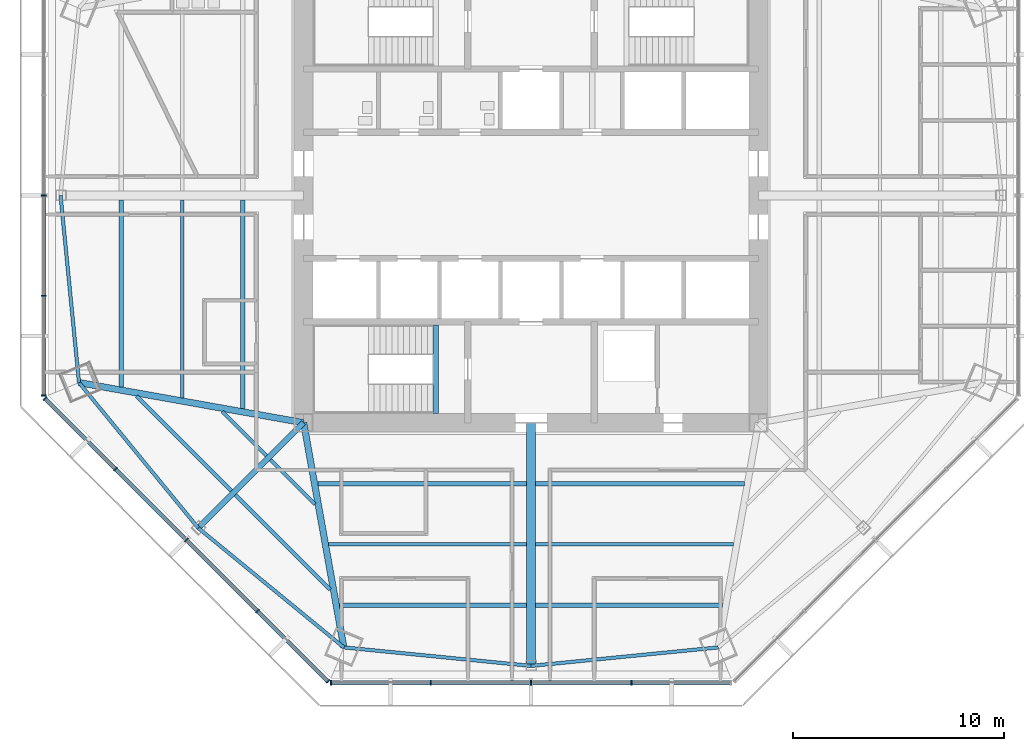
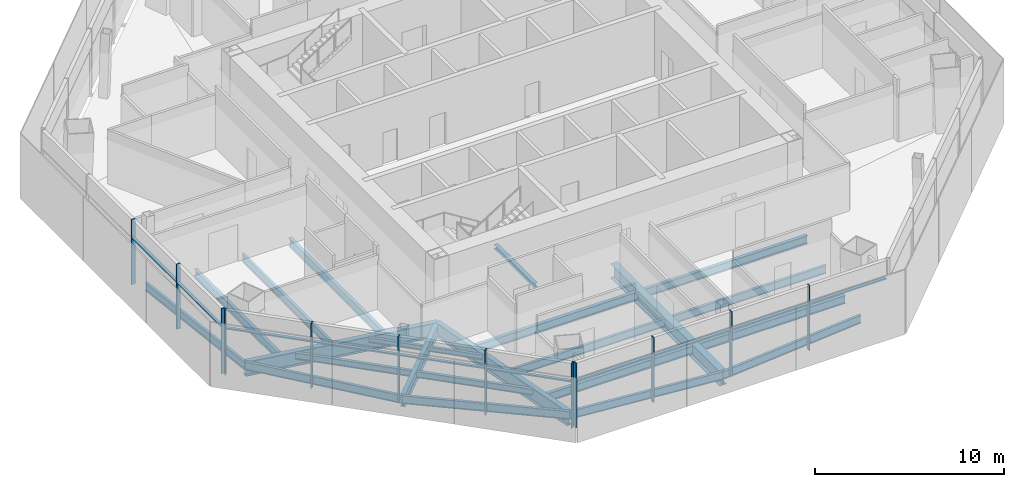
# One storey, part 2 of 15: 23 beams, 22 members, 3 elements without a shape of their own.
"""IFC4 building model written with IfcOpenShell, lengths in metres."""

from ifc_helpers import new_model, si_unit, direction, frame, origin, origin_2d, place, context, subcontext, project, spatial, rectangle, i_section, extrude, source, transform, mapped, material, material_profile, profile_set, type_object, type_shapes, element, aggregate, save


model = new_model("IFC4")

# Units and contexts
model_context = context("Model", 3, precision=1e-05, world=origin(), true_north=direction((0.0, 1.0)))
body_context = subcontext(model_context, "Body", "Model", "MODEL_VIEW")
ifc_project = project(units=[si_unit("LENGTHUNIT", "METRE"), si_unit("AREAUNIT", "SQUARE_METRE"), si_unit("VOLUMEUNIT", "CUBIC_METRE"), si_unit("PLANEANGLEUNIT", "RADIAN"), si_unit("MASSUNIT", "GRAM", prefix="KILO")], contexts=[model_context])

# Site, building, storey
site_placement = place(None, origin())
site = spatial("IfcSite", under=ifc_project, at=site_placement, CompositionType="ELEMENT")
building_placement = place(site_placement, origin())
building = spatial("IfcBuilding", under=site, at=building_placement, Name="Mashrafa Tower", CompositionType="ELEMENT")
storey_placement = place(building_placement, frame((0.0, 0.0, 172.199951171875)))
storey = spatial("IfcBuildingStorey", under=building, at=storey_placement, Name="L39", CompositionType="ELEMENT", Elevation=172.199951171875)

# Beams
ifc_material_1 = material(Name="Steel ASTM A992", Category="steel")
ifc_material_profile_1 = material_profile(ifc_material_1, i_section(OverallWidth=0.164794921875, OverallDepth=0.309814453125, WebThickness=0.005859375, FlangeThickness=0.009765625, FilletRadius=0.007568359375, at=origin_2d()), Name="W12X26")
ifc_profile_set_1 = profile_set([ifc_material_profile_1], Name="Steel ASTM A992")
beam_type_1 = type_object("IfcBeamType", Name="Beam W12X26", PredefinedType="BEAM", material=ifc_profile_set_1)
for number, where, z_axis, x_axis, name in (
    (1, (-12.561767578125, -12.373291015625, -0.31982421875), (-0.707106781187, 0.707106781187, 0.0), (-0.707106781187, -0.707106781187, 0.0), "Floor beam L39 011"),
    (2, (-10.264404296875, -14.670654296875, -0.31982421875), (-0.707106781187, 0.707106781187, 0.0), (-0.707106781187, -0.707106781187, 0.0), "Floor beam L39 014"),
):
    element("IfcBeam", number, at=place(storey_placement, frame(where, z_axis=z_axis, x_axis=x_axis)), inside=storey, type_object=beam_type_1, Name=name, PredefinedType="BEAM", context=body_context, shape_type="SweptSolid", body=[
        extrude(i_section(OverallWidth=0.164794921875, OverallDepth=0.309814453125, WebThickness=0.005859375, FlangeThickness=0.009765625, FilletRadius=0.007568359375, at=origin_2d()), origin(), (0.0, 0.0, 1.0), 2.982421875),
    ])
ifc_material_2 = material(Name="Steel ASTM A992", Category="steel")
ifc_material_profile_2 = material_profile(ifc_material_2, i_section(OverallWidth=0.177734375, OverallDepth=0.406494140625, WebThickness=0.0078125, FlangeThickness=0.012939453125, FilletRadius=0.01025390625, at=origin_2d()), Name="W16X40")
ifc_profile_set_2 = profile_set([ifc_material_profile_2], Name="Steel ASTM A992")
beam_type_2 = type_object("IfcBeamType", Name="Beam W16X40", PredefinedType="BEAM", material=ifc_profile_set_2)
for number, where, z_axis, x_axis, name in (
    (3, (-14.229248046875, -14.040771484375, -0.3681640625), (-0.707106781187, 0.707106781187, 0.0), (-0.707106781187, -0.707106781187, 0.0), "Floor beam L39 007"),
    (4, (-9.538818359375, -18.731201171875, -0.3681640625), (-0.707106781187, 0.707106781187, 0.0), (-0.707106781187, -0.707106781187, 0.0), "Floor beam L39 016"),
):
    element("IfcBeam", number, at=place(storey_placement, frame(where, z_axis=z_axis, x_axis=x_axis)), inside=storey, type_object=beam_type_2, Name=name, PredefinedType="BEAM", context=body_context, shape_type="SweptSolid", body=[
        extrude(i_section(OverallWidth=0.177734375, OverallDepth=0.406494140625, WebThickness=0.0078125, FlangeThickness=0.012939453125, FilletRadius=0.01025390625, at=origin_2d()), origin(), (0.0, 0.0, 1.0), 6.36669921875),
    ])
ifc_material_3 = material(Name="Steel ASTM A992", Category="steel")
ifc_material_profile_3 = material_profile(ifc_material_3, i_section(OverallWidth=0.1650390625, OverallDepth=0.52587890625, WebThickness=0.0087890625, FlangeThickness=0.011474609375, FilletRadius=0.0126953125, at=origin_2d()), Name="W21X44")
ifc_profile_set_3 = profile_set([ifc_material_profile_3], Name="Steel ASTM A992")
beam_type_3 = type_object("IfcBeamType", Name="Beam W21X44", PredefinedType="BEAM", material=ifc_profile_set_3)
for number, where, z_axis, x_axis, name in (
    (5, (-16.573974609375, -9.612060546875, -0.427734375), (0.0, 1.0, 0.0), (-1.0, 0.0, 0.0), "Floor beam L39 004"),
    (6, (-0.20947265625, -16.573974609375, -0.427734375), (-1.0, 0.0, 0.0), (0.0, -1.0, 0.0), "Floor beam L39 019"),
    (7, (9.612060546875, -16.573974609375, -0.427734375), (-1.0, 0.0, 0.0), (0.0, -1.0, 0.0), "Floor beam L39 026"),
):
    element("IfcBeam", number, at=place(storey_placement, frame(where, z_axis=z_axis, x_axis=x_axis)), inside=storey, type_object=beam_type_3, Name=name, PredefinedType="BEAM", context=body_context, shape_type="SweptSolid", body=[
        extrude(i_section(OverallWidth=0.1650390625, OverallDepth=0.52587890625, WebThickness=0.0087890625, FlangeThickness=0.011474609375, FilletRadius=0.0126953125, at=origin_2d()), origin(), (0.0, 0.0, 1.0), 9.402587890625),
    ])
beam_1_placement = place(storey_placement, frame((-22.34814453125, 0.0, -0.427734375), z_axis=(0.098270183346, -0.995159771627, 0.0), x_axis=(0.995159771627, 0.098270183346, 0.0)))
element("IfcBeam", 8, at=beam_1_placement, inside=storey, type_object=beam_type_3, Name="Spandrel beam L39 057", PredefinedType="BEAM", context=body_context, shape_type="SweptSolid", body=[
    extrude(i_section(OverallWidth=0.1650390625, OverallDepth=0.52587890625, WebThickness=0.0087890625, FlangeThickness=0.011474609375, FilletRadius=0.0126953125, at=origin_2d()), origin(), (0.0, 0.0, 1.0), 8.936279296875),
])
for number, where, z_axis, x_axis, name in (
    (9, (-21.469970703125, -8.89306640625, -0.427734375), (0.634196870214, -0.773171604374, 0.0), (0.773171604374, 0.634196870214, 0.0), "Spandrel beam L39 058"),
    (10, (-15.802490234375, -15.802490234375, -0.427734375), (0.773171604374, -0.634196870214, 0.0), (0.634196870214, 0.773171604374, 0.0), "Spandrel beam L39 060"),
):
    element("IfcBeam", number, at=place(storey_placement, frame(where, z_axis=z_axis, x_axis=x_axis)), inside=storey, type_object=beam_type_3, Name=name, PredefinedType="BEAM", context=body_context, shape_type="SweptSolid", body=[
        extrude(i_section(OverallWidth=0.1650390625, OverallDepth=0.52587890625, WebThickness=0.0087890625, FlangeThickness=0.011474609375, FilletRadius=0.0126953125, at=origin_2d()), origin(), (0.0, 0.0, 1.0), 8.9365234375),
    ])
for number, where, z_axis, x_axis, name in (
    (11, (-8.89306640625, -21.469970703125, -0.427734375), (0.995159771627, -0.098270183346, 0.0), (0.098270183346, 0.995159771627, 0.0), "Spandrel beam L39 062"),
    (12, (0.0, -22.34814453125, -0.427734375), (0.995159771627, 0.098270183346, 0.0), (-0.098270183346, 0.995159771627, 0.0), "Spandrel beam L39 064"),
):
    element("IfcBeam", number, at=place(storey_placement, frame(where, z_axis=z_axis, x_axis=x_axis)), inside=storey, type_object=beam_type_3, Name=name, PredefinedType="BEAM", context=body_context, shape_type="SweptSolid", body=[
        extrude(i_section(OverallWidth=0.1650390625, OverallDepth=0.52587890625, WebThickness=0.0087890625, FlangeThickness=0.011474609375, FilletRadius=0.0126953125, at=origin_2d()), origin(), (0.0, 0.0, 1.0), 8.936279296875),
    ])
ifc_material_4 = material(Name="Steel ASTM A992", Category="steel")
ifc_material_profile_4 = material_profile(ifc_material_4, i_section(OverallWidth=0.209228515625, OverallDepth=0.533447265625, WebThickness=0.01025390625, FlangeThickness=0.015625, FilletRadius=0.012939453125, at=origin_2d()), Name="W21X62")
ifc_profile_set_4 = profile_set([ifc_material_profile_4], Name="Steel ASTM A992")
beam_type_4 = type_object("IfcBeamType", Name="Beam W21X62", PredefinedType="BEAM", material=ifc_profile_set_4)
beam_2_placement = place(storey_placement, frame((-19.461181640625, -9.095947265625, -0.431640625), z_axis=(0.0, 1.0, 0.0), x_axis=(-1.0, 0.0, 0.0)))
element("IfcBeam", 13, at=beam_2_placement, inside=storey, type_object=beam_type_4, Name="Floor beam L39 001", PredefinedType="BEAM", context=body_context, shape_type="SweptSolid", body=[
    extrude(i_section(OverallWidth=0.209228515625, OverallDepth=0.533447265625, WebThickness=0.01025390625, FlangeThickness=0.015625, FilletRadius=0.012939453125, at=origin_2d()), origin(), (0.0, 0.0, 1.0), 8.886474609375),
])
beam_3_placement = place(storey_placement, frame((-13.68701171875, -10.1279296875, -0.431640625), z_axis=(0.0, 1.0, 0.0), x_axis=(-1.0, 0.0, 0.0)))
element("IfcBeam", 14, at=beam_3_placement, inside=storey, type_object=beam_type_4, Name="Floor beam L39 009", PredefinedType="BEAM", context=body_context, shape_type="SweptSolid", body=[
    extrude(i_section(OverallWidth=0.209228515625, OverallDepth=0.533447265625, WebThickness=0.01025390625, FlangeThickness=0.015625, FilletRadius=0.012939453125, at=origin_2d()), origin(), (0.0, 0.0, 1.0), 9.91845703125),
])
beam_4_placement = place(storey_placement, frame((-0.20947265625, -19.461181640625, -0.431640625), z_axis=(-1.0, 0.0, 0.0), x_axis=(0.0, -1.0, 0.0)))
element("IfcBeam", 15, at=beam_4_placement, inside=storey, type_object=beam_type_4, Name="Floor beam L39 018", PredefinedType="BEAM", context=body_context, shape_type="SweptSolid", body=[
    extrude(i_section(OverallWidth=0.209228515625, OverallDepth=0.533447265625, WebThickness=0.01025390625, FlangeThickness=0.015625, FilletRadius=0.012939453125, at=origin_2d()), origin(), (0.0, 0.0, 1.0), 8.886474609375),
])
beam_5_placement = place(storey_placement, frame((-0.20947265625, -13.68701171875, -0.431640625), z_axis=(-1.0, 0.0, 0.0), x_axis=(0.0, -1.0, 0.0)))
element("IfcBeam", 16, at=beam_5_placement, inside=storey, type_object=beam_type_4, Name="Floor beam L39 020", PredefinedType="BEAM", context=body_context, shape_type="SweptSolid", body=[
    extrude(i_section(OverallWidth=0.209228515625, OverallDepth=0.533447265625, WebThickness=0.01025390625, FlangeThickness=0.015625, FilletRadius=0.012939453125, at=origin_2d()), origin(), (0.0, 0.0, 1.0), 9.91845703125),
])
beam_6_placement = place(storey_placement, frame((9.095947265625, -19.461181640625, -0.431640625), z_axis=(-1.0, 0.0, 0.0), x_axis=(0.0, -1.0, 0.0)))
element("IfcBeam", 17, at=beam_6_placement, inside=storey, type_object=beam_type_4, Name="Floor beam L39 024", PredefinedType="BEAM", context=body_context, shape_type="SweptSolid", body=[
    extrude(i_section(OverallWidth=0.209228515625, OverallDepth=0.533447265625, WebThickness=0.01025390625, FlangeThickness=0.015625, FilletRadius=0.012939453125, at=origin_2d()), origin(), (0.0, 0.0, 1.0), 8.886474609375),
])
beam_7_placement = place(storey_placement, frame((10.1279296875, -13.68701171875, -0.431640625), z_axis=(-1.0, 0.0, 0.0), x_axis=(0.0, -1.0, 0.0)))
element("IfcBeam", 18, at=beam_7_placement, inside=storey, type_object=beam_type_4, Name="Floor beam L39 028", PredefinedType="BEAM", context=body_context, shape_type="SweptSolid", body=[
    extrude(i_section(OverallWidth=0.209228515625, OverallDepth=0.533447265625, WebThickness=0.01025390625, FlangeThickness=0.015625, FilletRadius=0.012939453125, at=origin_2d()), origin(), (0.0, 0.0, 1.0), 9.91845703125),
])
ifc_material_5 = material(Name="Steel ASTM A992", Category="steel")
ifc_material_profile_5 = material_profile(ifc_material_5, i_section(OverallWidth=0.2666015625, OverallDepth=0.75439453125, WebThickness=0.01318359375, FlangeThickness=0.01708984375, FilletRadius=0.0166015625, at=origin_2d()), Name="W30X99")
ifc_profile_set_5 = profile_set([ifc_material_profile_5], Name="Steel ASTM A992")
beam_type_5 = type_object("IfcBeamType", Name="Beam W30X99", PredefinedType="BEAM", material=ifc_profile_set_5)
beam_8_placement = place(storey_placement, frame((-10.800048828125, -10.800048828125, -0.542236328125), z_axis=(-0.707106781187, -0.707106781187, 0.0), x_axis=(0.707106781187, -0.707106781187, 0.0)))
element("IfcBeam", 19, at=beam_8_placement, inside=storey, type_object=beam_type_5, Name="Radial girder L39 042", PredefinedType="BEAM", context=body_context, shape_type="SweptSolid", body=[
    extrude(i_section(OverallWidth=0.2666015625, OverallDepth=0.75439453125, WebThickness=0.01318359375, FlangeThickness=0.01708984375, FilletRadius=0.0166015625, at=origin_2d()), origin(), (0.0, 0.0, 1.0), 7.074462890625),
])
ifc_material_6 = material(Name="Steel ASTM A992", Category="steel")
ifc_material_profile_6 = material_profile(ifc_material_6, i_section(OverallWidth=0.307373046875, OverallDepth=0.927001953125, WebThickness=0.01953125, FlangeThickness=0.031982421875, FilletRadius=0.01904296875, at=origin_2d()), Name="W36X194")
ifc_profile_set_6 = profile_set([ifc_material_profile_6], Name="Steel ASTM A992")
beam_type_6 = type_object("IfcBeamType", Name="Beam W36X194", PredefinedType="BEAM", material=ifc_profile_set_6)
for number, where, z_axis, x_axis, name in (
    (20, (-10.800048828125, -10.800048828125, -0.62841796875), (-0.984401392993, 0.175937197526, 0.0), (-0.175937197526, -0.984401392993, 0.0), "Radial girder L39 041"),
    (21, (-10.800048828125, -10.800048828125, -0.62841796875), (0.175937197526, -0.984401392993, 0.0), (0.984401392993, 0.175937197526, 0.0), "Radial girder L39 043"),
):
    element("IfcBeam", number, at=place(storey_placement, frame(where, z_axis=z_axis, x_axis=x_axis)), inside=storey, type_object=beam_type_6, Name=name, PredefinedType="BEAM", context=body_context, shape_type="SweptSolid", body=[
        extrude(i_section(OverallWidth=0.307373046875, OverallDepth=0.927001953125, WebThickness=0.01953125, FlangeThickness=0.031982421875, FilletRadius=0.01904296875, at=origin_2d()), origin(), (0.0, 0.0, 1.0), 10.839111328125),
    ])
ifc_material_7 = material(Name="Steel ASTM A992", Category="steel")
ifc_material_profile_7 = material_profile(ifc_material_7, i_section(OverallWidth=0.419189453125, OverallDepth=0.927001953125, WebThickness=0.019287109375, FlangeThickness=0.031982421875, FilletRadius=0.020263671875, at=origin_2d()), Name="W36X231")
ifc_profile_set_7 = profile_set([ifc_material_profile_7], Name="Steel ASTM A992")
beam_type_7 = type_object("IfcBeamType", Name="Beam W36X231", PredefinedType="BEAM", material=ifc_profile_set_7)
beam_9_placement = place(storey_placement, frame((0.0, -10.800048828125, -0.62841796875), z_axis=(0.0, -1.0, 0.0), x_axis=(1.0, 0.0, 0.0)))
element("IfcBeam", 22, at=beam_9_placement, inside=storey, type_object=beam_type_7, Name="Radial girder L39 048", PredefinedType="BEAM", context=body_context, shape_type="SweptSolid", body=[
    extrude(i_section(OverallWidth=0.419189453125, OverallDepth=0.927001953125, WebThickness=0.019287109375, FlangeThickness=0.031982421875, FilletRadius=0.020263671875, at=origin_2d()), origin(), (0.0, 0.0, 1.0), 11.548095703125),
])
ifc_material_8 = material(Name="Steel ASTM A992", Category="steel")
ifc_material_profile_8 = material_profile(ifc_material_8, i_section(OverallWidth=0.25390625, OverallDepth=0.25390625, WebThickness=0.008544921875, FlangeThickness=0.01416015625, FilletRadius=0.010009765625, at=origin_2d()), Name="W10X49")
ifc_profile_set_8 = profile_set([ifc_material_profile_8], Name="Steel ASTM A992")
beam_type_8 = type_object("IfcBeamType", Name="Hoistway beam W10X49", PredefinedType="BEAM", material=ifc_profile_set_8)
beam_10_placement = place(storey_placement, frame((-4.530029296875, -10.35009765625, -0.326904296875), z_axis=(0.0, 1.0, 0.0), x_axis=(-1.0, 0.0, 0.0)))
element("IfcBeam", 23, at=beam_10_placement, inside=storey, type_object=beam_type_8, Name="Stair S3 landing beam L39", PredefinedType="BEAM", context=body_context, shape_type="SweptSolid", body=[
    extrude(i_section(OverallWidth=0.25390625, OverallDepth=0.25390625, WebThickness=0.008544921875, FlangeThickness=0.01416015625, FilletRadius=0.010009765625, at=origin_2d()), origin(), (0.0, 0.0, 1.0), 4.2001953125),
])

# Curtain wall, members
ifc_material_9 = material(Name="Unitised aluminium curtain wall", Category="aluminium")
curtain_wall_type = type_object("IfcCurtainWallType", Name="Office curtain wall, zone 2 CW-B 225 deep", PredefinedType="NOTDEFINED", material=ifc_material_9)
curtain_wall_1_placement = place(storey_placement, origin())
curtain_wall_1 = element("IfcCurtainWall", 24, at=curtain_wall_1_placement, inside=storey, type_object=curtain_wall_type, Name="Office curtain wall, zone 2 L39 west", PredefinedType="NOTDEFINED")
ifc_material_10 = material(Name="Extruded aluminium mullion", Category="aluminium")
ifc_material_profile_9 = material_profile(ifc_material_10, rectangle(XDim=0.22509765625, YDim=0.06494140625, at=origin_2d()), Name="Mullion 65x225")
ifc_profile_set_9 = profile_set([ifc_material_profile_9], Name="Extruded aluminium mullion")
member_type_1 = type_object("IfcMemberType", Name="Mullion CW-B 65 x 225", PredefinedType="MULLION", material=ifc_profile_set_9)
shared_shape_1 = source(origin(), body_context, "Body", "SweptSolid", [
    extrude(rectangle(XDim=0.22509765625, YDim=0.06494140625, at=origin_2d()), origin(), (0.0, 0.0, 1.0), 4.199951171875),
])
type_shapes(member_type_1, [shared_shape_1])
member_1_placement = place(storey_placement, frame((-23.143310546875, 0.0, 0.0), z_axis=(0.0, 0.0, 1.0), x_axis=(1.0, 0.0, 0.0)))
member_1 = element("IfcMember", 25, at=member_1_placement, type_object=member_type_1, Name="CW-B mullion 3", PredefinedType="MULLION", context=body_context, shape_type="MappedRepresentation", body=[
    mapped(shared_shape_1, transform((0.0, 0.0, 0.0))),
])
member_2_placement = place(storey_placement, frame((-23.143310546875, -4.764892578125, 0.0), z_axis=(0.0, 0.0, 1.0), x_axis=(1.0, 0.0, 0.0)))
member_2 = element("IfcMember", 26, at=member_2_placement, type_object=member_type_1, Name="CW-B mullion 4", PredefinedType="MULLION", context=body_context, shape_type="MappedRepresentation", body=[
    mapped(shared_shape_1, transform((0.0, 0.0, 0.0))),
])
member_3_placement = place(storey_placement, frame((-23.143310546875, -9.497314453125, 0.0), z_axis=(0.0, 0.0, 1.0), x_axis=(1.0, 0.0, 0.0)))
member_3 = element("IfcMember", 27, at=member_3_placement, type_object=member_type_1, Name="CW-B mullion 5", PredefinedType="MULLION", context=body_context, shape_type="MappedRepresentation", body=[
    mapped(shared_shape_1, transform((0.0, 0.0, 0.0))),
])

curtain_wall_2_placement = place(storey_placement, origin())
curtain_wall_2 = element("IfcCurtainWall", 28, at=curtain_wall_2_placement, inside=storey, type_object=curtain_wall_type, Name="Office curtain wall, zone 2 L39 south-west", PredefinedType="NOTDEFINED")
member_4_placement = place(storey_placement, frame((-23.080322265625, -9.6494140625, 0.0), z_axis=(0.0, 0.0, 1.0), x_axis=(0.707106781187, 0.707106781187, 0.0)))
member_4 = element("IfcMember", 29, at=member_4_placement, type_object=member_type_1, Name="CW-B mullion 1", PredefinedType="MULLION", context=body_context, shape_type="MappedRepresentation", body=[
    mapped(shared_shape_1, transform((0.0, 0.0, 0.0))),
])
member_5_placement = place(storey_placement, frame((-19.734130859375, -12.99560546875, 0.0), z_axis=(0.0, 0.0, 1.0), x_axis=(0.707106781187, 0.707106781187, 0.0)))
member_5 = element("IfcMember", 30, at=member_5_placement, type_object=member_type_1, Name="CW-B mullion 2", PredefinedType="MULLION", context=body_context, shape_type="MappedRepresentation", body=[
    mapped(shared_shape_1, transform((0.0, 0.0, 0.0))),
])
member_6_placement = place(storey_placement, frame((-16.364990234375, -16.364990234375, 0.0), z_axis=(0.0, 0.0, 1.0), x_axis=(0.707106781187, 0.707106781187, 0.0)))
member_6 = element("IfcMember", 31, at=member_6_placement, type_object=member_type_1, Name="CW-B mullion 3", PredefinedType="MULLION", context=body_context, shape_type="MappedRepresentation", body=[
    mapped(shared_shape_1, transform((0.0, 0.0, 0.0))),
])
member_7_placement = place(storey_placement, frame((-12.99560546875, -19.734130859375, 0.0), z_axis=(0.0, 0.0, 1.0), x_axis=(0.707106781187, 0.707106781187, 0.0)))
member_7 = element("IfcMember", 32, at=member_7_placement, type_object=member_type_1, Name="CW-B mullion 4", PredefinedType="MULLION", context=body_context, shape_type="MappedRepresentation", body=[
    mapped(shared_shape_1, transform((0.0, 0.0, 0.0))),
])
member_8_placement = place(storey_placement, frame((-9.6494140625, -23.080322265625, 0.0), z_axis=(0.0, 0.0, 1.0), x_axis=(0.707106781187, 0.707106781187, 0.0)))
member_8 = element("IfcMember", 33, at=member_8_placement, type_object=member_type_1, Name="CW-B mullion 5", PredefinedType="MULLION", context=body_context, shape_type="MappedRepresentation", body=[
    mapped(shared_shape_1, transform((0.0, 0.0, 0.0))),
])

curtain_wall_3_placement = place(storey_placement, origin())
curtain_wall_3 = element("IfcCurtainWall", 34, at=curtain_wall_3_placement, inside=storey, type_object=curtain_wall_type, Name="Office curtain wall, zone 2 L39 south", PredefinedType="NOTDEFINED")
member_9_placement = place(storey_placement, frame((-9.497314453125, -23.143310546875, 0.0), z_axis=(0.0, 0.0, 1.0), x_axis=(0.0, 1.0, 0.0)))
member_9 = element("IfcMember", 35, at=member_9_placement, type_object=member_type_1, Name="CW-B mullion 1", PredefinedType="MULLION", context=body_context, shape_type="MappedRepresentation", body=[
    mapped(shared_shape_1, transform((0.0, 0.0, 0.0))),
])
member_10_placement = place(storey_placement, frame((-4.764892578125, -23.143310546875, 0.0), z_axis=(0.0, 0.0, 1.0), x_axis=(0.0, 1.0, 0.0)))
member_10 = element("IfcMember", 36, at=member_10_placement, type_object=member_type_1, Name="CW-B mullion 2", PredefinedType="MULLION", context=body_context, shape_type="MappedRepresentation", body=[
    mapped(shared_shape_1, transform((0.0, 0.0, 0.0))),
])
member_11_placement = place(storey_placement, frame((0.0, -23.143310546875, 0.0), z_axis=(0.0, 0.0, 1.0), x_axis=(0.0, 1.0, 0.0)))
member_11 = element("IfcMember", 37, at=member_11_placement, type_object=member_type_1, Name="CW-B mullion 3", PredefinedType="MULLION", context=body_context, shape_type="MappedRepresentation", body=[
    mapped(shared_shape_1, transform((0.0, 0.0, 0.0))),
])
member_12_placement = place(storey_placement, frame((4.764892578125, -23.143310546875, 0.0), z_axis=(0.0, 0.0, 1.0), x_axis=(0.0, 1.0, 0.0)))
member_12 = element("IfcMember", 38, at=member_12_placement, type_object=member_type_1, Name="CW-B mullion 4", PredefinedType="MULLION", context=body_context, shape_type="MappedRepresentation", body=[
    mapped(shared_shape_1, transform((0.0, 0.0, 0.0))),
])

# Member
ifc_material_11 = material(Name="Extruded aluminium transom", Category="aluminium")
ifc_material_profile_10 = material_profile(ifc_material_11, rectangle(XDim=0.179931640625, YDim=0.080078125, at=origin_2d()), Name="Transom 80x180")
ifc_profile_set_10 = profile_set([ifc_material_profile_10], Name="Extruded aluminium transom")
member_type_2 = type_object("IfcMemberType", Name="Transom CW-B 80 x 180", PredefinedType="MULLION", material=ifc_profile_set_10)
shared_shape_2 = source(origin(), body_context, "Body", "SweptSolid", [
    extrude(rectangle(XDim=0.179931640625, YDim=0.080078125, at=origin_2d()), origin(), (0.0, 0.0, 1.0), 4.667236328125),
])
member_13_placement = place(storey_placement, frame((-23.143310546875, -4.79736328125, 3.0), z_axis=(0.0, -1.0, 0.0), x_axis=(1.0, 0.0, 0.0)))
member_13 = element("IfcMember", 39, at=member_13_placement, type_object=member_type_2, Name="CW-B transom 4", PredefinedType="MULLION", context=body_context, shape_type="MappedRepresentation", body=[
    mapped(shared_shape_2, transform((0.0, 0.0, 0.0))),
])

member_14_placement = place(storey_placement, frame((-23.057373046875, -9.67236328125, 3.0), z_axis=(0.707106781187, -0.707106781187, 0.0), x_axis=(0.707106781187, 0.707106781187, 0.0)))
member_14 = element("IfcMember", 40, at=member_14_placement, type_object=member_type_2, Name="CW-B transom 1", PredefinedType="MULLION", context=body_context, shape_type="MappedRepresentation", body=[
    mapped(shared_shape_2, transform((0.0, 0.0, 0.0))),
])

member_15_placement = place(storey_placement, frame((-12.97265625, -19.757080078125, 3.0), z_axis=(0.707106781187, -0.707106781187, 0.0), x_axis=(0.707106781187, 0.707106781187, 0.0)))
member_15 = element("IfcMember", 41, at=member_15_placement, type_object=member_type_2, Name="CW-B transom 4", PredefinedType="MULLION", context=body_context, shape_type="MappedRepresentation", body=[
    mapped(shared_shape_2, transform((0.0, 0.0, 0.0))),
])

member_16_placement = place(storey_placement, frame((-9.464599609375, -23.143310546875, 3.0), z_axis=(1.0, 0.0, 0.0), x_axis=(0.0, 1.0, 0.0)))
member_16 = element("IfcMember", 42, at=member_16_placement, type_object=member_type_2, Name="CW-B transom 1", PredefinedType="MULLION", context=body_context, shape_type="MappedRepresentation", body=[
    mapped(shared_shape_2, transform((0.0, 0.0, 0.0))),
])

member_17_placement = place(storey_placement, frame((4.79736328125, -23.143310546875, 3.0), z_axis=(1.0, 0.0, 0.0), x_axis=(0.0, 1.0, 0.0)))
member_17 = element("IfcMember", 43, at=member_17_placement, type_object=member_type_2, Name="CW-B transom 4", PredefinedType="MULLION", context=body_context, shape_type="MappedRepresentation", body=[
    mapped(shared_shape_2, transform((0.0, 0.0, 0.0))),
])

shared_shape_3 = source(origin(), body_context, "Body", "SweptSolid", [
    extrude(rectangle(XDim=0.179931640625, YDim=0.080078125, at=origin_2d()), origin(), (0.0, 0.0, 1.0), 4.699951171875),
])
member_18_placement = place(storey_placement, frame((-23.143310546875, -0.032470703125, 3.0), z_axis=(0.0, -1.0, 0.0), x_axis=(1.0, 0.0, 0.0)))
member_18 = element("IfcMember", 44, at=member_18_placement, type_object=member_type_2, Name="CW-B transom 3", PredefinedType="MULLION", context=body_context, shape_type="MappedRepresentation", body=[
    mapped(shared_shape_3, transform((0.0, 0.0, 0.0))),
])

aggregate(curtain_wall_1, [member_1, member_2, member_3, member_18, member_13])

member_19_placement = place(storey_placement, frame((-4.732421875, -23.143310546875, 3.0), z_axis=(1.0, 0.0, 0.0), x_axis=(0.0, 1.0, 0.0)))
member_19 = element("IfcMember", 45, at=member_19_placement, type_object=member_type_2, Name="CW-B transom 2", PredefinedType="MULLION", context=body_context, shape_type="MappedRepresentation", body=[
    mapped(shared_shape_3, transform((0.0, 0.0, 0.0))),
])

member_20_placement = place(storey_placement, frame((0.032470703125, -23.143310546875, 3.0), z_axis=(1.0, 0.0, 0.0), x_axis=(0.0, 1.0, 0.0)))
member_20 = element("IfcMember", 46, at=member_20_placement, type_object=member_type_2, Name="CW-B transom 3", PredefinedType="MULLION", context=body_context, shape_type="MappedRepresentation", body=[
    mapped(shared_shape_3, transform((0.0, 0.0, 0.0))),
])

aggregate(curtain_wall_3, [member_9, member_10, member_11, member_12, member_16, member_19, member_20, member_17])

shared_shape_4 = source(origin(), body_context, "Body", "SweptSolid", [
    extrude(rectangle(XDim=0.179931640625, YDim=0.080078125, at=origin_2d()), origin(), (0.0, 0.0, 1.0), 4.69970703125),
])
type_shapes(member_type_2, [shared_shape_2, shared_shape_3, shared_shape_4])
member_21_placement = place(storey_placement, frame((-19.711181640625, -13.0185546875, 3.0), z_axis=(0.707106781187, -0.707106781187, 0.0), x_axis=(0.707106781187, 0.707106781187, 0.0)))
member_21 = element("IfcMember", 47, at=member_21_placement, type_object=member_type_2, Name="CW-B transom 2", PredefinedType="MULLION", context=body_context, shape_type="MappedRepresentation", body=[
    mapped(shared_shape_4, transform((0.0, 0.0, 0.0))),
])

member_22_placement = place(storey_placement, frame((-16.341796875, -16.387939453125, 3.0), z_axis=(0.707106781187, -0.707106781187, 0.0), x_axis=(0.707106781187, 0.707106781187, 0.0)))
member_22 = element("IfcMember", 48, at=member_22_placement, type_object=member_type_2, Name="CW-B transom 3", PredefinedType="MULLION", context=body_context, shape_type="MappedRepresentation", body=[
    mapped(shared_shape_4, transform((0.0, 0.0, 0.0))),
])

aggregate(curtain_wall_2, [member_4, member_5, member_6, member_7, member_8, member_14, member_21, member_22, member_15])

save(model, "model.ifc")
